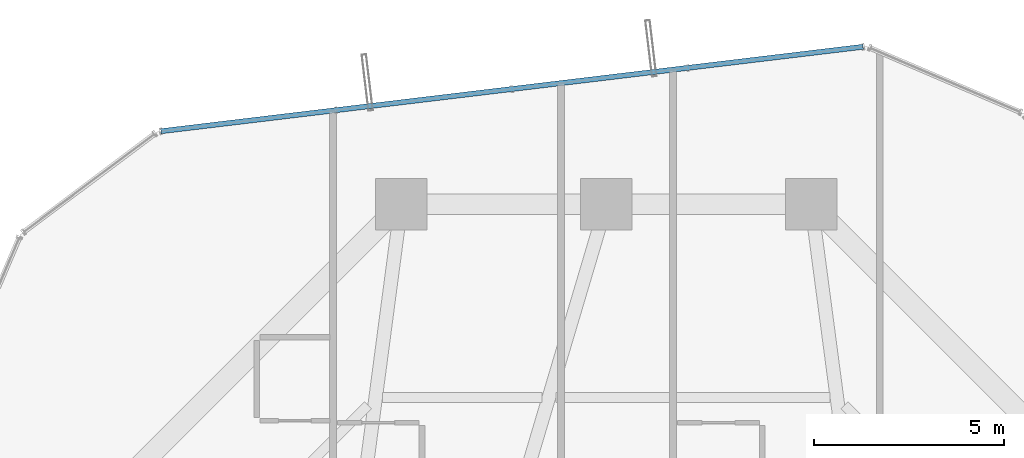
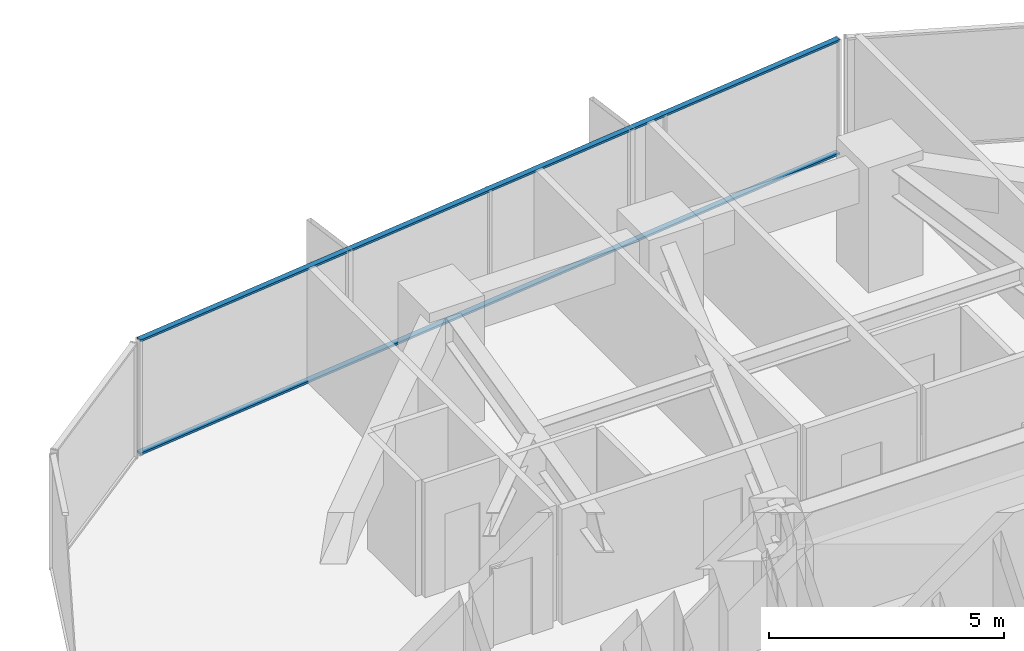
# One storey, part 26 of 37: 2 members, 1 element without a shape of its own.
"""IFC4 building model written with IfcOpenShell, lengths in metres."""

from ifc_helpers import new_model, si_unit, direction, frame, origin, origin_2d, place, context, subcontext, project, spatial, hollow_rectangle, extrude, source, transform, mapped, material, layer, layer_set, material_profile, profile_set, type_object, element, aggregate, save


model = new_model("IFC4")

# Units and contexts
model_context = context("Model", 3, precision=1e-05, world=origin(), true_north=direction((0.0, 1.0)))
body_context = subcontext(model_context, "Body", "Model", "MODEL_VIEW")
ifc_project = project(units=[si_unit("LENGTHUNIT", "METRE"), si_unit("AREAUNIT", "SQUARE_METRE"), si_unit("VOLUMEUNIT", "CUBIC_METRE"), si_unit("PLANEANGLEUNIT", "RADIAN"), si_unit("MASSUNIT", "GRAM", prefix="KILO")], contexts=[model_context])

# Site, building, storey
site_placement = place(None, origin())
site = spatial("IfcSite", under=ifc_project, at=site_placement, CompositionType="ELEMENT")
building_placement = place(site_placement, origin())
building = spatial("IfcBuilding", under=site, at=building_placement, Name="Veraguas Prism Commons", CompositionType="ELEMENT")
storey_placement = place(building_placement, frame((0.0, 0.0, 46.800048828125)))
storey = spatial("IfcBuildingStorey", under=building, at=storey_placement, Name="L12", CompositionType="ELEMENT", Elevation=46.800048828125)

# Curtain wall, members
ifc_material = material(Name="Anodised aluminium EN AW-6063 T6", Category="aluminium")
ifc_layer = layer(ifc_material, 0.169921875, Name="Unitised Flush Curtain Wall Zone 1", Category="aluminium")
ifc_layer_set = layer_set([ifc_layer], Name="Anodised aluminium EN AW-6063 T6")
curtain_wall_type = type_object("IfcCurtainWallType", Name="Unitised Flush Curtain Wall Zone 1", PredefinedType="NOTDEFINED", material=ifc_layer_set)
curtain_wall_placement = place(storey_placement, origin())
curtain_wall = element("IfcCurtainWall", 1, at=curtain_wall_placement, inside=storey, type_object=curtain_wall_type, Name="Tower Facade Curtain Wall L12-F2", PredefinedType="NOTDEFINED")
ifc_material_profile = material_profile(ifc_material, hollow_rectangle(XDim=0.054931640625, YDim=0.135009765625, WallThickness=0.0029296875, at=origin_2d()), Name="AL55X135X3")
ifc_profile_set = profile_set([ifc_material_profile], Name="Anodised aluminium EN AW-6063 T6")
member_type = type_object("IfcMemberType", Name="Curtain Wall Transom Standard AL 55x135x3", PredefinedType="USERDEFINED", material=ifc_profile_set)
shared_shape = source(origin(), body_context, "Body", "SweptSolid", [
    extrude(hollow_rectangle(XDim=0.054931640625, YDim=0.135009765625, WallThickness=0.0029296875, at=origin_2d()), origin(), (0.0, 0.0, 1.0), 18.623779296875),
])
member_1_placement = place(storey_placement, frame((30.7626953125, 45.748046875, 0.02734375), z_axis=(-0.992841810588, -0.119436757942, 0.0), x_axis=(0.0, 0.0, 1.0)))
member_1 = element("IfcMember", 2, at=member_1_placement, type_object=member_type, Name="CW-Z1 Transom 1", ObjectType="TRANSOM", PredefinedType="USERDEFINED", context=body_context, shape_type="MappedRepresentation", body=[
    mapped(shared_shape, transform((0.0, 0.0, 0.0), scale=1.0)),
])
member_2_placement = place(storey_placement, frame((30.7626953125, 45.748046875, 2.972412109375), z_axis=(-0.992841810588, -0.119436757942, 0.0), x_axis=(0.0, 0.0, 1.0)))
member_2 = element("IfcMember", 3, at=member_2_placement, type_object=member_type, Name="CW-Z1 Transom 2", ObjectType="TRANSOM", PredefinedType="USERDEFINED", context=body_context, shape_type="MappedRepresentation", body=[
    mapped(shared_shape, transform((0.0, 0.0, 0.0), scale=1.0)),
])
aggregate(curtain_wall, [member_1, member_2])

save(model, "model.ifc")
